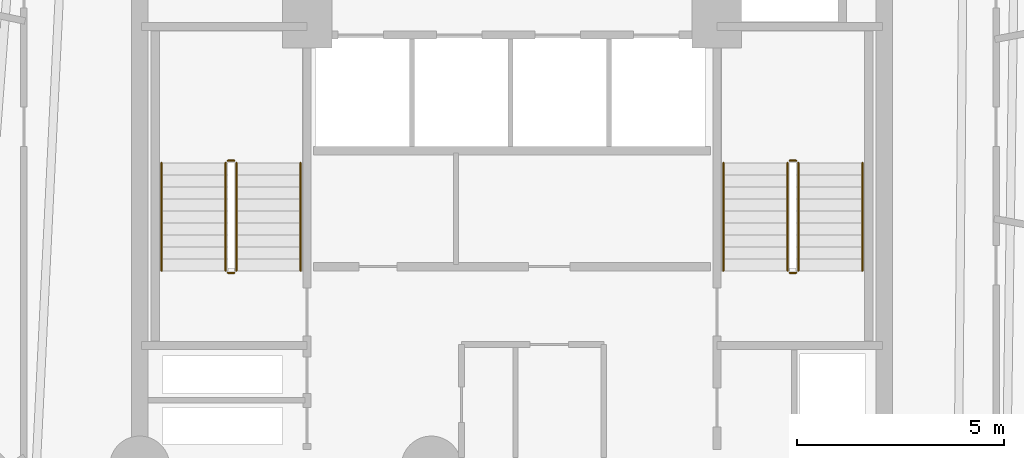
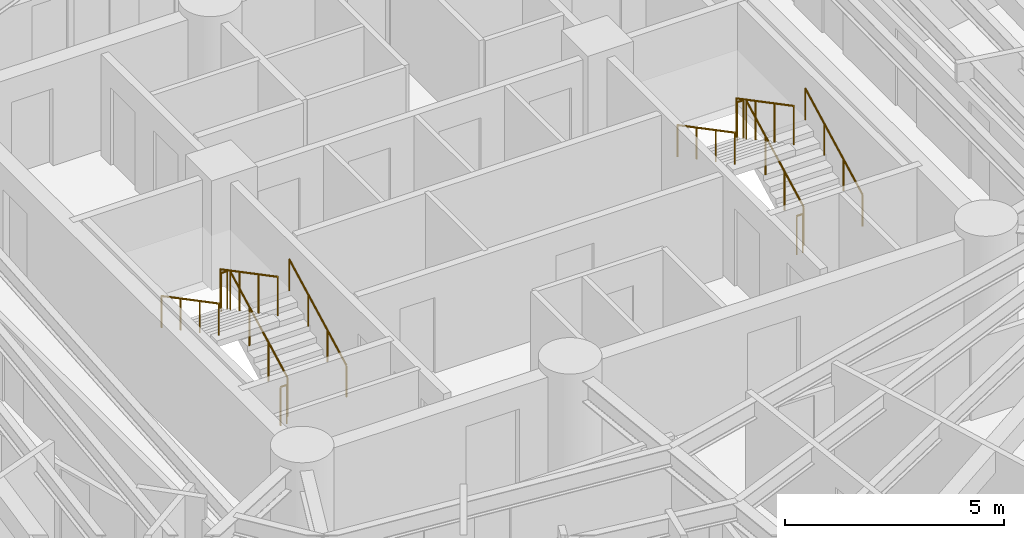
# One storey, part 8 of 8: 12 railings.
"""IFC4 building model written with IfcOpenShell, lengths in metres."""

import ifcopenshell
import ifcopenshell.guid

model = None  # the IFC model being written
_history = None  # IfcOwnerHistory: only IFC2X3 demands one
_inside = {}  # id of a spatial element -> (the spatial element, [elements in it])
_under = {}  # id of a project, library or spatial element -> (it, [spatial elements below it])
_declared = {}  # id of a project -> (the project, [libraries it declares])
_typed = {}  # id of a type object -> (the type object, [elements of that type])
_made_of = {}  # id of a material, layer set ... -> (it, [elements and type objects made of it])


def new_model(schema):
    """Start an empty IFC model of exactly this schema.

    Asked for "IFC4X3", IfcOpenShell would pick the latest addendum, in which some entities
    have other attributes; the version numbers below select the first issue.
    IFC2X3 requires an IfcOwnerHistory on every rooted entity: one is made here for all.
    """
    global model, _history
    if schema == "IFC4X3":
        model = ifcopenshell.file(schema_version=(4, 3, 0, 0))
    else:
        model = ifcopenshell.file(schema=schema)
    _inside.clear()
    _under.clear()
    _declared.clear()
    _typed.clear()
    _made_of.clear()
    _history = None
    if model.schema == "IFC2X3":
        org = make("IfcOrganization", Name="unknown")
        user = make(
            "IfcPersonAndOrganization",
            ThePerson=make("IfcPerson", FamilyName="unknown"),
            TheOrganization=org,
        )
        app = make(
            "IfcApplication",
            ApplicationDeveloper=org,
            Version="unknown",
            ApplicationFullName="unknown",
            ApplicationIdentifier="unknown",
        )
        _history = make(
            "IfcOwnerHistory",
            OwningUser=user,
            OwningApplication=app,
            ChangeAction="ADDED",
            CreationDate=0,
        )
    return model


def make(cls, **values):
    """One entity of the class cls with the attributes given. An attribute that is None is left unset."""
    return model.create_entity(
        cls, **{name: value for name, value in values.items() if value is not None}
    )


def rooted(cls, **values):
    """An entity with a GlobalId (a new one), such as an element, a storey or a relation."""
    return make(cls, GlobalId=ifcopenshell.guid.new(), OwnerHistory=_history, **values)


def si_unit(unit_type, name, prefix=None):
    """IfcSIUnit, for example si_unit("LENGTHUNIT", "METRE", prefix="MILLI")."""
    return make("IfcSIUnit", UnitType=unit_type, Prefix=prefix, Name=name)


def assignment(units):
    """IfcUnitAssignment: the units of a project."""
    return None if units is None else make("IfcUnitAssignment", Units=units)


def point(xyz):
    """IfcCartesianPoint."""
    return None if xyz is None else make("IfcCartesianPoint", Coordinates=xyz)


def direction(xyz):
    """IfcDirection."""
    return None if xyz is None else make("IfcDirection", DirectionRatios=xyz)


def frame(location, z_axis=None, x_axis=None):
    """IfcAxis2Placement3D, a coordinate frame: its origin and axes. An axis left out is left unset."""
    return make(
        "IfcAxis2Placement3D",
        Location=point(location),
        Axis=direction(z_axis),
        RefDirection=direction(x_axis),
    )


def frame_2d(location, x_axis=None):
    """IfcAxis2Placement2D, a coordinate frame in the plane: its origin and x axis."""
    return make(
        "IfcAxis2Placement2D", Location=point(location), RefDirection=direction(x_axis)
    )


def origin():
    """The frame at (0, 0, 0) with its axes left unset."""
    return frame((0.0, 0.0, 0.0))


def origin_2d():
    """The frame at (0, 0) in the plane with its x axis left unset."""
    return frame_2d((0.0, 0.0))


def place(relative_to, where):
    """IfcLocalPlacement: puts the frame where relative to a parent placement (None: the world)."""
    return make(
        "IfcLocalPlacement", PlacementRelTo=relative_to, RelativePlacement=where
    )


def context(
    kind, dimensions, precision=None, world=None, true_north=None, identifier=None
):
    """IfcGeometricRepresentationContext, for example the 3D "Model" context."""
    return make(
        "IfcGeometricRepresentationContext",
        ContextIdentifier=identifier,
        ContextType=kind,
        CoordinateSpaceDimension=dimensions,
        Precision=precision,
        WorldCoordinateSystem=world,
        TrueNorth=true_north,
    )


def subcontext(parent, identifier, kind, view, scale=None):
    """IfcGeometricRepresentationSubContext, for example "Body" below "Model"."""
    return make(
        "IfcGeometricRepresentationSubContext",
        ContextIdentifier=identifier,
        ContextType=kind,
        ParentContext=parent,
        TargetScale=scale,
        TargetView=view,
    )


def project(units=None, contexts=None):
    """IfcProject with its units and contexts."""
    return rooted(
        "IfcProject",
        Name="project",
        RepresentationContexts=contexts,
        UnitsInContext=assignment(units),
    )


def spatial(cls, under=None, at=None, **own):
    """A site, building, storey or space (cls), placed at a placement, below another one or the project."""
    s = rooted(cls, ObjectPlacement=at, **own)
    if under is not None:
        _under.setdefault(under.id(), (under, []))[1].append(s)
    return s


def profile(cls, at=None, kind="AREA", **sizes):
    """A parametric profile (cls). Its sizes go by their IFC names, for example OverallWidth=200.0."""
    return make(cls, ProfileType=kind, Position=at, **sizes)


def circle(**sizes):
    """IfcCircleProfileDef."""
    return profile("IfcCircleProfileDef", **sizes)


def extrude(swept, where, along, depth):
    """IfcExtrudedAreaSolid: the profile swept, set in the frame where, extruded along a direction by depth."""
    return make(
        "IfcExtrudedAreaSolid",
        SweptArea=swept,
        Position=where,
        ExtrudedDirection=direction(along),
        Depth=depth,
    )


def shape(context_of_items, identifier, shape_type, items):
    """IfcShapeRepresentation: the items that make up one representation, for example the "Body"."""
    return make(
        "IfcShapeRepresentation",
        ContextOfItems=context_of_items,
        RepresentationIdentifier=identifier,
        RepresentationType=shape_type,
        Items=items,
    )


def material(Name=None, Category=None):
    """IfcMaterial."""
    return make("IfcMaterial", Name=Name, Category=Category)


def layer(
    of_material, thickness, ventilated=None, Name=None, Category=None, Priority=None
):
    """IfcMaterialLayer: one layer of a wall or slab, of a material (None: an air gap)."""
    return make(
        "IfcMaterialLayer",
        Material=of_material,
        LayerThickness=thickness,
        IsVentilated=ventilated,
        Name=Name,
        Category=Category,
        Priority=Priority,
    )


def layer_set(layers, Name=None):
    """IfcMaterialLayerSet."""
    return make("IfcMaterialLayerSet", MaterialLayers=layers, LayerSetName=Name)


def made_of(thing, what):
    """Note that an element or type object is made of a material, layer set ...; save() writes the relation."""
    if what is not None:
        _made_of.setdefault(what.id(), (what, []))[1].append(thing)
    return thing


def type_object(cls, material=None, **own):
    """A type object (cls), such as IfcWallType, which elements share."""
    return made_of(rooted(cls, **own), material)


def element(
    cls,
    number,
    at=None,
    inside=None,
    cuts=None,
    type_object=None,
    material=None,
    context=None,
    identifier="Body",
    shape_type=None,
    held_by="IfcProductDefinitionShape",
    body=None,
    shapes=None,
    **own,
):
    """One element of the class cls, such as IfcWall. Its Tag is "e" and its number.

    at: its placement. inside: the storey or other place that contains it. cuts: it is an
    opening in that element (IfcRelVoidsElement). A single representation is given by context,
    identifier, shape_type and body (its items); several are given by shapes. held_by: the class
    of the entity that holds the representations. save() writes the other relations.
    """
    e = rooted(cls, Tag="e%d" % number, ObjectPlacement=at, **own)
    if body is not None:
        shapes = [shape(context, identifier, shape_type, body)]
    if shapes is not None:
        e.Representation = make(held_by, Representations=shapes)
    if inside is not None:
        _inside.setdefault(inside.id(), (inside, []))[1].append(e)
    if cuts is not None:
        rooted(
            "IfcRelVoidsElement", RelatingBuildingElement=cuts, RelatedOpeningElement=e
        )
    if type_object is not None:
        _typed.setdefault(type_object.id(), (type_object, []))[1].append(e)
    return made_of(e, material)


def aggregate(whole, parts):
    """IfcRelAggregates: a whole, such as a stair, and the parts it consists of."""
    return rooted("IfcRelAggregates", RelatingObject=whole, RelatedObjects=parts)


def save(model, path):
    """Write the relations noted so far, then the file.

    IfcRelAggregates (storeys below a building ...), IfcRelContainedInSpatialStructure (elements
    in a storey), IfcRelDefinesByType, IfcRelAssociatesMaterial and IfcRelDeclares: one each for
    every whole, place, type object, material and project.
    """
    for whole, parts in _under.values():
        aggregate(whole, parts)
    for where, things in _inside.values():
        rooted(
            "IfcRelContainedInSpatialStructure",
            RelatedElements=things,
            RelatingStructure=where,
        )
    for kind, things in _typed.values():
        rooted("IfcRelDefinesByType", RelatedObjects=things, RelatingType=kind)
    for what, things in _made_of.values():
        rooted("IfcRelAssociatesMaterial", RelatedObjects=things, RelatingMaterial=what)
    for by, libraries in _declared.values():
        rooted("IfcRelDeclares", RelatingContext=by, RelatedDefinitions=libraries)
    model.write(path)


model = new_model("IFC4")

# Units and contexts
model_context = context("Model", 3, precision=1e-05, world=origin(), true_north=direction((0.0, 1.0)))
body_context = subcontext(model_context, "Body", "Model", "MODEL_VIEW")
ifc_project = project(units=[si_unit("LENGTHUNIT", "METRE"), si_unit("AREAUNIT", "SQUARE_METRE"), si_unit("VOLUMEUNIT", "CUBIC_METRE"), si_unit("PLANEANGLEUNIT", "RADIAN"), si_unit("MASSUNIT", "GRAM", prefix="KILO")], contexts=[model_context])

# Site, building, storey
site_placement = place(None, origin())
site = spatial("IfcSite", under=ifc_project, at=site_placement, CompositionType="ELEMENT")
building_placement = place(site_placement, origin())
building = spatial("IfcBuilding", under=site, at=building_placement, Name="Karkom Vertical University and Central Library", CompositionType="ELEMENT")
storey_placement = place(building_placement, frame((0.0, 0.0, 120.60009765625)))
storey = spatial("IfcBuildingStorey", under=building, at=storey_placement, Name="L33", CompositionType="ELEMENT", Elevation=120.60009765625)

# Railings
ifc_material_1 = material(Name="Painted galvanised steel balustrade", Category="steel")
ifc_layer_1 = layer(ifc_material_1, 0.06005859375)
ifc_layer_set_1 = layer_set([ifc_layer_1], Name="Painted galvanised steel balustrade")
railing_type_1 = type_object("IfcRailingType", Name="INT-RL-GUARD1100", PredefinedType="GUARDRAIL", material=ifc_layer_set_1)
railing_1_placement = place(storey_placement, frame((21.840087890625, 23.02001953125, 0.15234375)))
element("IfcRailing", 1, at=railing_1_placement, inside=storey, type_object=railing_type_1, Name="Level 33 ST-1 stair guard 1", PredefinedType="GUARDRAIL", context=body_context, shape_type="SweptSolid", body=[
    extrude(circle(Radius=0.02392578125, at=origin_2d()), frame((0.0, 0.0, 1.076171875), z_axis=(0.0, 0.885065446896, 0.46546659892), x_axis=(-1.0, 0.0, 0.0)), (0.0, 0.0, 1.0), 2.94873046875),
    extrude(circle(Radius=0.02099609375, at=origin_2d()), origin(), (0.0, 0.0, 1.0), 1.052001953125),
    extrude(circle(Radius=0.02099609375, at=origin_2d()), frame((0.0, 0.869873046875, 0.45751953125)), (0.0, 0.0, 1.0), 1.052001953125),
    extrude(circle(Radius=0.02099609375, at=origin_2d()), frame((0.0, 1.739990234375, 0.9150390625)), (0.0, 0.0, 1.0), 1.052001953125),
    extrude(circle(Radius=0.02099609375, at=origin_2d()), frame((0.0, 2.60986328125, 1.37255859375)), (0.0, 0.0, 1.0), 1.052001953125),
])
railing_2_placement = place(storey_placement, frame((21.7900390625, 25.679931640625, 1.52490234375)))
element("IfcRailing", 2, at=railing_2_placement, inside=storey, type_object=railing_type_1, Name="Level 33 ST-1 stair guard 2", PredefinedType="GUARDRAIL", context=body_context, shape_type="SweptSolid", body=[
    extrude(circle(Radius=0.02392578125, at=origin_2d()), frame((0.0, 0.0, 1.076171875), z_axis=(-1.0, 0.0, 0.0), x_axis=(0.0, -1.0, 0.0)), (0.0, 0.0, 1.0), 0.16015625),
    extrude(circle(Radius=0.02099609375, at=origin_2d()), origin(), (0.0, 0.0, 1.0), 1.052001953125),
    extrude(circle(Radius=0.02099609375, at=origin_2d()), frame((-0.16015625, 0.0, 0.0)), (0.0, 0.0, 1.0), 1.052001953125),
])
railing_3_placement = place(storey_placement, frame((21.580078125, 25.6298828125, 1.677490234375)))
element("IfcRailing", 3, at=railing_3_placement, inside=storey, type_object=railing_type_1, Name="Level 33 ST-1 stair guard 3", PredefinedType="GUARDRAIL", context=body_context, shape_type="SweptSolid", body=[
    extrude(circle(Radius=0.02392578125, at=origin_2d()), frame((0.0, 0.0, 1.076171875), z_axis=(0.0, -0.885099554253, 0.465401739426), x_axis=(1.0, 0.0, 0.0)), (0.0, 0.0, 1.0), 2.94873046875),
    extrude(circle(Radius=0.02099609375, at=origin_2d()), origin(), (0.0, 0.0, 1.0), 1.052001953125),
    extrude(circle(Radius=0.02099609375, at=origin_2d()), frame((0.0, -0.869873046875, 0.45751953125)), (0.0, 0.0, 1.0), 1.052001953125),
    extrude(circle(Radius=0.02099609375, at=origin_2d()), frame((0.0, -1.739990234375, 0.914794921875)), (0.0, 0.0, 1.0), 1.052001953125),
    extrude(circle(Radius=0.02099609375, at=origin_2d()), frame((0.0, -2.60986328125, 1.372314453125)), (0.0, 0.0, 1.0), 1.052001953125),
])
railing_4_placement = place(storey_placement, frame((21.7900390625, 22.969970703125, 0.0)))
element("IfcRailing", 4, at=railing_4_placement, inside=storey, type_object=railing_type_1, Name="Level 33 ST-1 stair guard 4", PredefinedType="GUARDRAIL", context=body_context, shape_type="SweptSolid", body=[
    extrude(circle(Radius=0.02392578125, at=origin_2d()), frame((0.0, 0.0, 1.076171875), z_axis=(-1.0, 0.0, 0.0), x_axis=(0.0, -1.0, 0.0)), (0.0, 0.0, 1.0), 0.16015625),
    extrude(circle(Radius=0.02099609375, at=origin_2d()), origin(), (0.0, 0.0, 1.0), 1.052001953125),
    extrude(circle(Radius=0.02099609375, at=origin_2d()), frame((-0.16015625, 0.0, 0.0)), (0.0, 0.0, 1.0), 1.052001953125),
])
railing_5_placement = place(storey_placement, frame((35.419921875, 23.02001953125, 0.15234375)))
element("IfcRailing", 5, at=railing_5_placement, inside=storey, type_object=railing_type_1, Name="Level 33 ST-2 stair guard 1", PredefinedType="GUARDRAIL", context=body_context, shape_type="SweptSolid", body=[
    extrude(circle(Radius=0.02392578125, at=origin_2d()), frame((0.0, 0.0, 1.076171875), z_axis=(0.0, 0.885065446896, 0.46546659892), x_axis=(-1.0, 0.0, 0.0)), (0.0, 0.0, 1.0), 2.94873046875),
    extrude(circle(Radius=0.02099609375, at=origin_2d()), origin(), (0.0, 0.0, 1.0), 1.052001953125),
    extrude(circle(Radius=0.02099609375, at=origin_2d()), frame((0.0, 0.869873046875, 0.45751953125)), (0.0, 0.0, 1.0), 1.052001953125),
    extrude(circle(Radius=0.02099609375, at=origin_2d()), frame((0.0, 1.739990234375, 0.9150390625)), (0.0, 0.0, 1.0), 1.052001953125),
    extrude(circle(Radius=0.02099609375, at=origin_2d()), frame((0.0, 2.60986328125, 1.37255859375)), (0.0, 0.0, 1.0), 1.052001953125),
])
railing_6_placement = place(storey_placement, frame((35.3701171875, 25.679931640625, 1.52490234375)))
element("IfcRailing", 6, at=railing_6_placement, inside=storey, type_object=railing_type_1, Name="Level 33 ST-2 stair guard 2", PredefinedType="GUARDRAIL", context=body_context, shape_type="SweptSolid", body=[
    extrude(circle(Radius=0.02392578125, at=origin_2d()), frame((0.0, 0.0, 1.076171875), z_axis=(-1.0, 0.0, 0.0), x_axis=(0.0, -1.0, 0.0)), (0.0, 0.0, 1.0), 0.16015625),
    extrude(circle(Radius=0.02099609375, at=origin_2d()), origin(), (0.0, 0.0, 1.0), 1.052001953125),
    extrude(circle(Radius=0.02099609375, at=origin_2d()), frame((-0.16015625, 0.0, 0.0)), (0.0, 0.0, 1.0), 1.052001953125),
])
railing_7_placement = place(storey_placement, frame((35.159912109375, 25.6298828125, 1.677490234375)))
element("IfcRailing", 7, at=railing_7_placement, inside=storey, type_object=railing_type_1, Name="Level 33 ST-2 stair guard 3", PredefinedType="GUARDRAIL", context=body_context, shape_type="SweptSolid", body=[
    extrude(circle(Radius=0.02392578125, at=origin_2d()), frame((0.0, 0.0, 1.076171875), z_axis=(0.0, -0.885099554253, 0.465401739426), x_axis=(1.0, 0.0, 0.0)), (0.0, 0.0, 1.0), 2.94873046875),
    extrude(circle(Radius=0.02099609375, at=origin_2d()), origin(), (0.0, 0.0, 1.0), 1.052001953125),
    extrude(circle(Radius=0.02099609375, at=origin_2d()), frame((0.0, -0.869873046875, 0.45751953125)), (0.0, 0.0, 1.0), 1.052001953125),
    extrude(circle(Radius=0.02099609375, at=origin_2d()), frame((0.0, -1.739990234375, 0.914794921875)), (0.0, 0.0, 1.0), 1.052001953125),
    extrude(circle(Radius=0.02099609375, at=origin_2d()), frame((0.0, -2.60986328125, 1.372314453125)), (0.0, 0.0, 1.0), 1.052001953125),
])
railing_8_placement = place(storey_placement, frame((35.3701171875, 22.969970703125, 0.0)))
element("IfcRailing", 8, at=railing_8_placement, inside=storey, type_object=railing_type_1, Name="Level 33 ST-2 stair guard 4", PredefinedType="GUARDRAIL", context=body_context, shape_type="SweptSolid", body=[
    extrude(circle(Radius=0.02392578125, at=origin_2d()), frame((0.0, 0.0, 1.076171875), z_axis=(-1.0, 0.0, 0.0), x_axis=(0.0, -1.0, 0.0)), (0.0, 0.0, 1.0), 0.16015625),
    extrude(circle(Radius=0.02099609375, at=origin_2d()), origin(), (0.0, 0.0, 1.0), 1.052001953125),
    extrude(circle(Radius=0.02099609375, at=origin_2d()), frame((-0.16015625, 0.0, 0.0)), (0.0, 0.0, 1.0), 1.052001953125),
])
ifc_material_2 = material(Name="Brushed stainless-steel tubular handrail", Category="steel")
ifc_layer_2 = layer(ifc_material_2, 0.048095703125)
ifc_layer_set_2 = layer_set([ifc_layer_2], Name="Brushed stainless-steel tubular handrail")
railing_type_2 = type_object("IfcRailingType", Name="INT-RL-HAND920", PredefinedType="HANDRAIL", material=ifc_layer_set_2)
railing_9_placement = place(storey_placement, frame((23.389892578125, 23.02001953125, 0.15234375)))
element("IfcRailing", 9, at=railing_9_placement, inside=storey, type_object=railing_type_2, Name="Level 33 ST-1 stair handrail 1", PredefinedType="HANDRAIL", context=body_context, shape_type="SweptSolid", body=[
    extrude(circle(Radius=0.02392578125, at=origin_2d()), frame((0.0, 0.0, 0.8759765625), z_axis=(0.0, 0.885065446896, 0.46546659892), x_axis=(-1.0, 0.0, 0.0)), (0.0, 0.0, 1.0), 2.94873046875),
    extrude(circle(Radius=0.02099609375, at=origin_2d()), origin(), (0.0, 0.0, 1.0), 0.851806640625),
    extrude(circle(Radius=0.02099609375, at=origin_2d()), frame((0.0, 0.869873046875, 0.45751953125)), (0.0, 0.0, 1.0), 0.851806640625),
    extrude(circle(Radius=0.02099609375, at=origin_2d()), frame((0.0, 1.739990234375, 0.9150390625)), (0.0, 0.0, 1.0), 0.851806640625),
    extrude(circle(Radius=0.02099609375, at=origin_2d()), frame((0.0, 2.60986328125, 1.37255859375)), (0.0, 0.0, 1.0), 0.851806640625),
])
railing_10_placement = place(storey_placement, frame((20.030029296875, 25.6298828125, 1.677490234375)))
element("IfcRailing", 10, at=railing_10_placement, inside=storey, type_object=railing_type_2, Name="Level 33 ST-1 stair handrail 2", PredefinedType="HANDRAIL", context=body_context, shape_type="SweptSolid", body=[
    extrude(circle(Radius=0.02392578125, at=origin_2d()), frame((0.0, 0.0, 0.8759765625), z_axis=(0.0, -0.885099554253, 0.465401739426), x_axis=(1.0, 0.0, 0.0)), (0.0, 0.0, 1.0), 2.94873046875),
    extrude(circle(Radius=0.02099609375, at=origin_2d()), origin(), (0.0, 0.0, 1.0), 0.851806640625),
    extrude(circle(Radius=0.02099609375, at=origin_2d()), frame((0.0, -0.869873046875, 0.45751953125)), (0.0, 0.0, 1.0), 0.851806640625),
    extrude(circle(Radius=0.02099609375, at=origin_2d()), frame((0.0, -1.739990234375, 0.914794921875)), (0.0, 0.0, 1.0), 0.851806640625),
    extrude(circle(Radius=0.02099609375, at=origin_2d()), frame((0.0, -2.60986328125, 1.372314453125)), (0.0, 0.0, 1.0), 0.851806640625),
])
railing_11_placement = place(storey_placement, frame((36.969970703125, 23.02001953125, 0.15234375)))
element("IfcRailing", 11, at=railing_11_placement, inside=storey, type_object=railing_type_2, Name="Level 33 ST-2 stair handrail 1", PredefinedType="HANDRAIL", context=body_context, shape_type="SweptSolid", body=[
    extrude(circle(Radius=0.02392578125, at=origin_2d()), frame((0.0, 0.0, 0.8759765625), z_axis=(0.0, 0.885065446896, 0.46546659892), x_axis=(-1.0, 0.0, 0.0)), (0.0, 0.0, 1.0), 2.94873046875),
    extrude(circle(Radius=0.02099609375, at=origin_2d()), origin(), (0.0, 0.0, 1.0), 0.851806640625),
    extrude(circle(Radius=0.02099609375, at=origin_2d()), frame((0.0, 0.869873046875, 0.45751953125)), (0.0, 0.0, 1.0), 0.851806640625),
    extrude(circle(Radius=0.02099609375, at=origin_2d()), frame((0.0, 1.739990234375, 0.9150390625)), (0.0, 0.0, 1.0), 0.851806640625),
    extrude(circle(Radius=0.02099609375, at=origin_2d()), frame((0.0, 2.60986328125, 1.37255859375)), (0.0, 0.0, 1.0), 0.851806640625),
])
railing_12_placement = place(storey_placement, frame((33.610107421875, 25.6298828125, 1.677490234375)))
element("IfcRailing", 12, at=railing_12_placement, inside=storey, type_object=railing_type_2, Name="Level 33 ST-2 stair handrail 2", PredefinedType="HANDRAIL", context=body_context, shape_type="SweptSolid", body=[
    extrude(circle(Radius=0.02392578125, at=origin_2d()), frame((0.0, 0.0, 0.8759765625), z_axis=(0.0, -0.885099554253, 0.465401739426), x_axis=(1.0, 0.0, 0.0)), (0.0, 0.0, 1.0), 2.94873046875),
    extrude(circle(Radius=0.02099609375, at=origin_2d()), origin(), (0.0, 0.0, 1.0), 0.851806640625),
    extrude(circle(Radius=0.02099609375, at=origin_2d()), frame((0.0, -0.869873046875, 0.45751953125)), (0.0, 0.0, 1.0), 0.851806640625),
    extrude(circle(Radius=0.02099609375, at=origin_2d()), frame((0.0, -1.739990234375, 0.914794921875)), (0.0, 0.0, 1.0), 0.851806640625),
    extrude(circle(Radius=0.02099609375, at=origin_2d()), frame((0.0, -2.60986328125, 1.372314453125)), (0.0, 0.0, 1.0), 0.851806640625),
])

save(model, "model.ifc")
